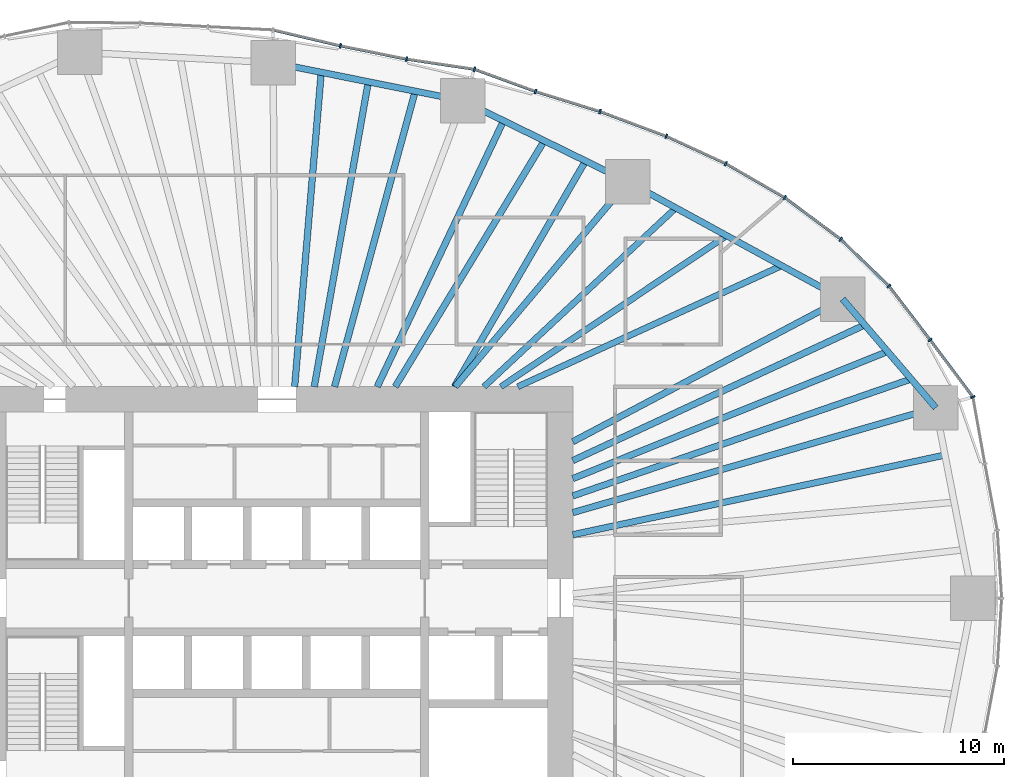
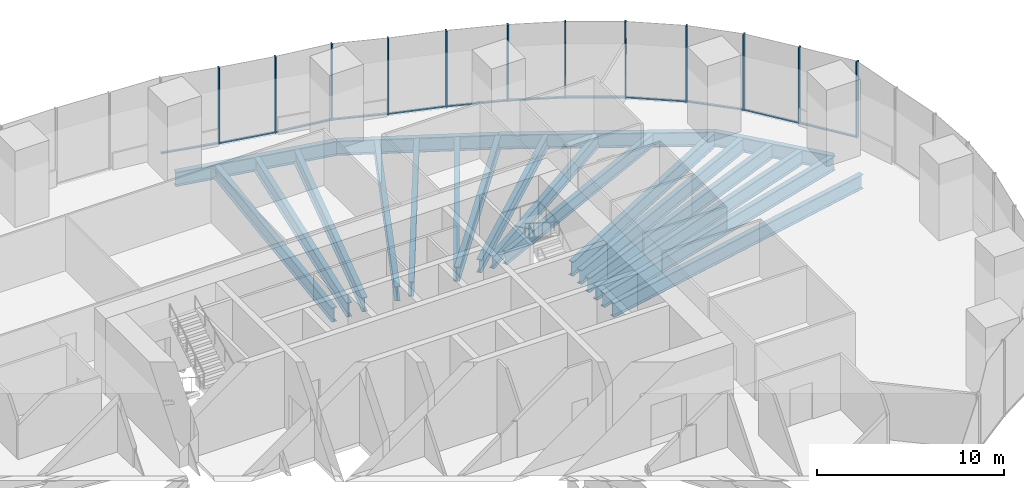
# One storey, part 6 of 20: 24 members, 20 beams, 4 elements without a shape of their own.
"""IFC4 building model written with IfcOpenShell, lengths in metres."""

from ifc_helpers import new_model, si_unit, direction, frame, origin, origin_2d, place, context, subcontext, project, spatial, rectangle, i_section, extrude, material, material_profile, profile_set, type_object, element, aggregate, save


model = new_model("IFC4")

# Units and contexts
model_context = context("Model", 3, precision=1e-05, world=origin(), true_north=direction((0.0, 1.0)))
body_context = subcontext(model_context, "Body", "Model", "MODEL_VIEW")
ifc_project = project(units=[si_unit("LENGTHUNIT", "METRE"), si_unit("AREAUNIT", "SQUARE_METRE"), si_unit("VOLUMEUNIT", "CUBIC_METRE"), si_unit("PLANEANGLEUNIT", "RADIAN"), si_unit("MASSUNIT", "GRAM", prefix="KILO")], contexts=[model_context])

# Site, building, storey
site_placement = place(None, origin())
site = spatial("IfcSite", under=ifc_project, at=site_placement, CompositionType="ELEMENT")
building_placement = place(site_placement, origin())
building = spatial("IfcBuilding", under=site, at=building_placement, Name="Ghaith Harvest Tower", CompositionType="ELEMENT")
storey_placement = place(building_placement, frame((0.0, 0.0, 20.0)))
storey = spatial("IfcBuildingStorey", under=building, at=storey_placement, Name="L04", CompositionType="ELEMENT", Elevation=20.0)

# Curtain wall, members
ifc_material_1 = material(Name="Black anodised aluminium and fritted glass", Category="aluminium")
curtain_wall_type = type_object("IfcCurtainWallType", Name="CW-F CURTAIN WALL", PredefinedType="NOTDEFINED", material=ifc_material_1)
curtain_wall_1_placement = place(storey_placement, origin())
curtain_wall_1 = element("IfcCurtainWall", 1, at=curtain_wall_1_placement, inside=storey, type_object=curtain_wall_type, Name="Curtain wall CW-F bay 02 L04", PredefinedType="NOTDEFINED")
ifc_material_2 = material(Name="Aluminium, black anodised", Category="aluminium")
ifc_material_profile_1 = material_profile(ifc_material_2, rectangle(XDim=0.080078125, YDim=0.219970703125, at=origin_2d()), Name="CW-F MULLION 80x220")
ifc_profile_set_1 = profile_set([ifc_material_profile_1], Name="Aluminium, black anodised")
member_type_1 = type_object("IfcMemberType", Name="CW-F MULLION 80x220", PredefinedType="MULLION", material=ifc_profile_set_1)
member_1_placement = place(storey_placement, frame((32.923583984375, 9.515625, 0.0), z_axis=(0.0, 0.0, 1.0), x_axis=(-0.404701693729, 0.914448762421, 0.0)))
member_1 = element("IfcMember", 2, at=member_1_placement, type_object=member_type_1, Name="CW-F mullion 1 bay 02 L04", PredefinedType="MULLION", context=body_context, shape_type="SweptSolid", body=[
    extrude(rectangle(XDim=0.080078125, YDim=0.219970703125, at=origin_2d()), origin(), (0.0, 0.0, 1.0), 5.0),
])
member_2_placement = place(storey_placement, frame((30.896728515625, 12.215087890625, 0.0), z_axis=(0.0, 0.0, 1.0), x_axis=(-0.603948315345, 0.797023482961, 0.0)))
member_2 = element("IfcMember", 3, at=member_2_placement, type_object=member_type_1, Name="CW-F mullion 2 bay 02 L04", PredefinedType="MULLION", context=body_context, shape_type="SweptSolid", body=[
    extrude(rectangle(XDim=0.080078125, YDim=0.219970703125, at=origin_2d()), origin(), (0.0, 0.0, 1.0), 5.0),
])
member_3_placement = place(storey_placement, frame((28.947021484375, 14.763427734375, 0.0), z_axis=(0.0, 0.0, 1.0), x_axis=(-0.663604797296, 0.748083332929, 0.0)))
member_3 = element("IfcMember", 4, at=member_3_placement, type_object=member_type_1, Name="CW-F mullion 3 bay 02 L04", PredefinedType="MULLION", context=body_context, shape_type="SweptSolid", body=[
    extrude(rectangle(XDim=0.080078125, YDim=0.219970703125, at=origin_2d()), origin(), (0.0, 0.0, 1.0), 5.0),
])

curtain_wall_2_placement = place(storey_placement, origin())
curtain_wall_2 = element("IfcCurtainWall", 5, at=curtain_wall_2_placement, inside=storey, type_object=curtain_wall_type, Name="Curtain wall CW-F bay 03 L04", PredefinedType="NOTDEFINED")
member_4_placement = place(storey_placement, frame((26.673828125, 16.9755859375, 0.0), z_axis=(0.0, 0.0, 1.0), x_axis=(-0.762365981091, 0.647146127915, 0.0)))
member_4 = element("IfcMember", 6, at=member_4_placement, type_object=member_type_1, Name="CW-F mullion 1 bay 03 L04", PredefinedType="MULLION", context=body_context, shape_type="SweptSolid", body=[
    extrude(rectangle(XDim=0.080078125, YDim=0.219970703125, at=origin_2d()), origin(), (0.0, 0.0, 1.0), 5.0),
])
member_5_placement = place(storey_placement, frame((24.018310546875, 18.947265625, 0.0), z_axis=(0.0, 0.0, 1.0), x_axis=(-0.835443516723, 0.549576318963, 0.0)))
member_5 = element("IfcMember", 7, at=member_5_placement, type_object=member_type_1, Name="CW-F mullion 2 bay 03 L04", PredefinedType="MULLION", context=body_context, shape_type="SweptSolid", body=[
    extrude(rectangle(XDim=0.080078125, YDim=0.219970703125, at=origin_2d()), origin(), (0.0, 0.0, 1.0), 5.0),
])
member_6_placement = place(storey_placement, frame((21.2353515625, 20.552978515625, 0.0), z_axis=(0.0, 0.0, 1.0), x_axis=(-0.887896671642, 0.460042933308, 0.0)))
member_6 = element("IfcMember", 8, at=member_6_placement, type_object=member_type_1, Name="CW-F mullion 3 bay 03 L04", PredefinedType="MULLION", context=body_context, shape_type="SweptSolid", body=[
    extrude(rectangle(XDim=0.080078125, YDim=0.219970703125, at=origin_2d()), origin(), (0.0, 0.0, 1.0), 5.0),
])

curtain_wall_3_placement = place(storey_placement, origin())
curtain_wall_3 = element("IfcCurtainWall", 9, at=curtain_wall_3_placement, inside=storey, type_object=curtain_wall_type, Name="Curtain wall CW-F bay 04 L04", PredefinedType="NOTDEFINED")
member_7_placement = place(storey_placement, frame((18.422607421875, 21.8466796875, 0.0), z_axis=(0.0, 0.0, 1.0), x_axis=(-0.923910199252, 0.382609387912, 0.0)))
member_7 = element("IfcMember", 10, at=member_7_placement, type_object=member_type_1, Name="CW-F mullion 1 bay 04 L04", PredefinedType="MULLION", context=body_context, shape_type="SweptSolid", body=[
    extrude(rectangle(XDim=0.080078125, YDim=0.219970703125, at=origin_2d()), origin(), (0.0, 0.0, 1.0), 5.0),
])
member_8_placement = place(storey_placement, frame((15.28759765625, 23.01611328125, 0.0), z_axis=(0.0, 0.0, 1.0), x_axis=(-0.946121020954, 0.323813238933, 0.0)))
member_8 = element("IfcMember", 11, at=member_8_placement, type_object=member_type_1, Name="CW-F mullion 2 bay 04 L04", PredefinedType="MULLION", context=body_context, shape_type="SweptSolid", body=[
    extrude(rectangle(XDim=0.080078125, YDim=0.219970703125, at=origin_2d()), origin(), (0.0, 0.0, 1.0), 5.0),
])
member_9_placement = place(storey_placement, frame((12.234375, 23.964599609375, 0.0), z_axis=(0.0, 0.0, 1.0), x_axis=(-0.947653438436, 0.319300736957, 0.0)))
member_9 = element("IfcMember", 12, at=member_9_placement, type_object=member_type_1, Name="CW-F mullion 3 bay 04 L04", PredefinedType="MULLION", context=body_context, shape_type="SweptSolid", body=[
    extrude(rectangle(XDim=0.080078125, YDim=0.219970703125, at=origin_2d()), origin(), (0.0, 0.0, 1.0), 5.0),
])

curtain_wall_4_placement = place(storey_placement, origin())
curtain_wall_4 = element("IfcCurtainWall", 13, at=curtain_wall_4_placement, inside=storey, type_object=curtain_wall_type, Name="Curtain wall CW-F bay 05 L04", PredefinedType="NOTDEFINED")
member_10_placement = place(storey_placement, frame((9.351806640625, 25.01611328125, 0.0), z_axis=(0.0, 0.0, 1.0), x_axis=(-0.969903429236, 0.243489913461, 0.0)))
member_10 = element("IfcMember", 14, at=member_10_placement, type_object=member_type_1, Name="CW-F mullion 1 bay 05 L04", PredefinedType="MULLION", context=body_context, shape_type="SweptSolid", body=[
    extrude(rectangle(XDim=0.080078125, YDim=0.219970703125, at=origin_2d()), origin(), (0.0, 0.0, 1.0), 5.0),
])
member_11_placement = place(storey_placement, frame((6.136962890625, 25.495361328125, 0.0), z_axis=(0.0, 0.0, 1.0), x_axis=(-0.985103843977, 0.171960508788, 0.0)))
member_11 = element("IfcMember", 15, at=member_11_placement, type_object=member_type_1, Name="CW-F mullion 2 bay 05 L04", PredefinedType="MULLION", context=body_context, shape_type="SweptSolid", body=[
    extrude(rectangle(XDim=0.080078125, YDim=0.219970703125, at=origin_2d()), origin(), (0.0, 0.0, 1.0), 5.0),
])
member_12_placement = place(storey_placement, frame((3.00927734375, 26.123291015625, 0.0), z_axis=(0.0, 0.0, 1.0), x_axis=(-0.976927332869, 0.213571969822, 0.0)))
member_12 = element("IfcMember", 16, at=member_12_placement, type_object=member_type_1, Name="CW-F mullion 3 bay 05 L04", PredefinedType="MULLION", context=body_context, shape_type="SweptSolid", body=[
    extrude(rectangle(XDim=0.080078125, YDim=0.219970703125, at=origin_2d()), origin(), (0.0, 0.0, 1.0), 5.0),
])

# Member
ifc_material_3 = material(Name="Aluminium, black anodised", Category="aluminium")
ifc_material_profile_2 = material_profile(ifc_material_3, rectangle(XDim=0.139892578125, YDim=0.080078125, at=origin_2d()), Name="CW-F TRANSOM 140x80")
ifc_profile_set_2 = profile_set([ifc_material_profile_2], Name="Aluminium, black anodised")
member_type_2 = type_object("IfcMemberType", Name="CW-F TRANSOM 140x80", PredefinedType="USERDEFINED", material=ifc_profile_set_2)
member_13_placement = place(storey_placement, frame((32.899658203125, 9.547607421875, 0.0400390625), z_axis=(-0.600462135687, 0.799653189581, 0.0), x_axis=(-0.799653189581, -0.600462135687, 0.0)))
member_13 = element("IfcMember", 17, at=member_13_placement, type_object=member_type_2, Name="CW-F transom 1 bay 02 L04", ObjectType="TRANSOM", PredefinedType="USERDEFINED", context=body_context, shape_type="SweptSolid", body=[
    extrude(rectangle(XDim=0.139892578125, YDim=0.080078125, at=origin_2d()), origin(), (0.0, 0.0, 1.0), 3.2958984375),
])

member_14_placement = place(storey_placement, frame((30.87255859375, 12.246826171875, 0.0400390625), z_axis=(-0.607638356471, 0.794213842579, 0.0), x_axis=(-0.794213842579, -0.607638356471, 0.0)))
member_14 = element("IfcMember", 18, at=member_14_placement, type_object=member_type_2, Name="CW-F transom 2 bay 02 L04", ObjectType="TRANSOM", PredefinedType="USERDEFINED", context=body_context, shape_type="SweptSolid", body=[
    extrude(rectangle(XDim=0.139892578125, YDim=0.080078125, at=origin_2d()), origin(), (0.0, 0.0, 1.0), 3.128662109375),
])

member_15_placement = place(storey_placement, frame((28.91845703125, 14.791259765625, 0.0400390625), z_axis=(-0.71671313139, 0.697368114623, 0.0), x_axis=(-0.697368114623, -0.71671313139, 0.0)))
member_15 = element("IfcMember", 19, at=member_15_placement, type_object=member_type_2, Name="CW-F transom 3 bay 02 L04", ObjectType="TRANSOM", PredefinedType="USERDEFINED", context=body_context, shape_type="SweptSolid", body=[
    extrude(rectangle(XDim=0.139892578125, YDim=0.080078125, at=origin_2d()), origin(), (0.0, 0.0, 1.0), 3.092041015625),
])

aggregate(curtain_wall_1, [member_1, member_13, member_2, member_14, member_3, member_15])

member_16_placement = place(storey_placement, frame((26.641845703125, 16.999267578125, 0.0400390625), z_axis=(-0.802877287823, 0.596144328748, 0.0), x_axis=(-0.596144328748, -0.802877287823, 0.0)))
member_16 = element("IfcMember", 20, at=member_16_placement, type_object=member_type_2, Name="CW-F transom 1 bay 03 L04", ObjectType="TRANSOM", PredefinedType="USERDEFINED", context=body_context, shape_type="SweptSolid", body=[
    extrude(rectangle(XDim=0.139892578125, YDim=0.080078125, at=origin_2d()), origin(), (0.0, 0.0, 1.0), 3.2275390625),
])

member_17_placement = place(storey_placement, frame((23.983642578125, 18.96728515625, 0.0400390625), z_axis=(-0.866168719914, 0.499751686983, 0.0), x_axis=(-0.499751686983, -0.866168719914, 0.0)))
member_17 = element("IfcMember", 21, at=member_17_placement, type_object=member_type_2, Name="CW-F transom 2 bay 03 L04", ObjectType="TRANSOM", PredefinedType="USERDEFINED", context=body_context, shape_type="SweptSolid", body=[
    extrude(rectangle(XDim=0.139892578125, YDim=0.080078125, at=origin_2d()), origin(), (0.0, 0.0, 1.0), 3.1328125),
])

member_18_placement = place(storey_placement, frame((21.19921875, 20.56982421875, 0.0400390625), z_axis=(-0.908553137239, 0.417769310521, 0.0), x_axis=(-0.417769310521, -0.908553137239, 0.0)))
member_18 = element("IfcMember", 22, at=member_18_placement, type_object=member_type_2, Name="CW-F transom 3 bay 03 L04", ObjectType="TRANSOM", PredefinedType="USERDEFINED", context=body_context, shape_type="SweptSolid", body=[
    extrude(rectangle(XDim=0.139892578125, YDim=0.080078125, at=origin_2d()), origin(), (0.0, 0.0, 1.0), 3.01611328125),
])

aggregate(curtain_wall_2, [member_4, member_16, member_5, member_17, member_6, member_18])

member_19_placement = place(storey_placement, frame((18.385009765625, 21.860595703125, 0.0400390625), z_axis=(-0.936923785579, 0.349533717996, 0.0), x_axis=(-0.349533717996, -0.936923785579, 0.0)))
member_19 = element("IfcMember", 23, at=member_19_placement, type_object=member_type_2, Name="CW-F transom 1 bay 04 L04", ObjectType="TRANSOM", PredefinedType="USERDEFINED", context=body_context, shape_type="SweptSolid", body=[
    extrude(rectangle(XDim=0.139892578125, YDim=0.080078125, at=origin_2d()), origin(), (0.0, 0.0, 1.0), 3.26611328125),
])

member_20_placement = place(storey_placement, frame((15.249267578125, 23.028076171875, 0.0400390625), z_axis=(-0.954998362353, 0.296611071781, 0.0), x_axis=(-0.296611071781, -0.954998362353, 0.0)))
member_20 = element("IfcMember", 24, at=member_20_placement, type_object=member_type_2, Name="CW-F transom 2 bay 04 L04", ObjectType="TRANSOM", PredefinedType="USERDEFINED", context=body_context, shape_type="SweptSolid", body=[
    extrude(rectangle(XDim=0.139892578125, YDim=0.080078125, at=origin_2d()), origin(), (0.0, 0.0, 1.0), 3.1171875),
])

member_21_placement = place(storey_placement, frame((12.19677734375, 23.978271484375, 0.0400390625), z_axis=(-0.939437502081, 0.342720264478, 0.0), x_axis=(-0.342720264478, -0.939437502081, 0.0)))
member_21 = element("IfcMember", 25, at=member_21_placement, type_object=member_type_2, Name="CW-F transom 3 bay 04 L04", ObjectType="TRANSOM", PredefinedType="USERDEFINED", context=body_context, shape_type="SweptSolid", body=[
    extrude(rectangle(XDim=0.139892578125, YDim=0.080078125, at=origin_2d()), origin(), (0.0, 0.0, 1.0), 2.98828125),
])

aggregate(curtain_wall_3, [member_7, member_19, member_8, member_20, member_9, member_21])

member_22_placement = place(storey_placement, frame((9.312255859375, 25.02197265625, 0.0400390625), z_axis=(-0.989078238205, 0.147391447207, 0.0), x_axis=(-0.147391447207, -0.989078238205, 0.0)))
member_22 = element("IfcMember", 26, at=member_22_placement, type_object=member_type_2, Name="CW-F transom 1 bay 05 L04", ObjectType="TRANSOM", PredefinedType="USERDEFINED", context=body_context, shape_type="SweptSolid", body=[
    extrude(rectangle(XDim=0.139892578125, YDim=0.080078125, at=origin_2d()), origin(), (0.0, 0.0, 1.0), 3.17041015625),
])

member_23_placement = place(storey_placement, frame((6.097900390625, 25.503173828125, 0.0400390625), z_axis=(-0.980432471193, 0.196855707129, 0.0), x_axis=(-0.196855707129, -0.980432471193, 0.0)))
member_23 = element("IfcMember", 27, at=member_23_placement, type_object=member_type_2, Name="CW-F transom 2 bay 05 L04", ObjectType="TRANSOM", PredefinedType="USERDEFINED", context=body_context, shape_type="SweptSolid", body=[
    extrude(rectangle(XDim=0.139892578125, YDim=0.080078125, at=origin_2d()), origin(), (0.0, 0.0, 1.0), 3.1103515625),
])

member_24_placement = place(storey_placement, frame((2.97021484375, 26.132568359375, 0.0400390625), z_axis=(-0.973252867589, 0.229736491942, 0.0), x_axis=(-0.229736491942, -0.973252867589, 0.0)))
member_24 = element("IfcMember", 28, at=member_24_placement, type_object=member_type_2, Name="CW-F transom 3 bay 05 L04", ObjectType="TRANSOM", PredefinedType="USERDEFINED", context=body_context, shape_type="SweptSolid", body=[
    extrude(rectangle(XDim=0.139892578125, YDim=0.080078125, at=origin_2d()), origin(), (0.0, 0.0, 1.0), 3.200927734375),
])

aggregate(curtain_wall_4, [member_10, member_22, member_11, member_23, member_12, member_24])

# Beams
ifc_material_4 = material(Name="Steel ASTM A992 Grade 50", Category="steel")
ifc_material_profile_3 = material_profile(ifc_material_4, i_section(OverallWidth=0.306884765625, OverallDepth=0.94189453125, WebThickness=0.022216796875, FlangeThickness=0.039794921875, at=origin_2d()), Name="W920X345")
ifc_profile_set_3 = profile_set([ifc_material_profile_3], Name="Steel ASTM A992 Grade 50")
beam_type_1 = type_object("IfcBeamType", Name="E920-345 W920X345", PredefinedType="SPANDREL", material=ifc_profile_set_3)
beam_1_placement = place(storey_placement, frame((31.166015625, 9.008056640625, -0.6708984375), z_axis=(-0.65056255283, 0.759452674533, 0.0), x_axis=(-0.759452674533, -0.65056255283, 0.0)))
element("IfcBeam", 29, at=beam_1_placement, inside=storey, type_object=beam_type_1, Name="Edge beam E02 L04", PredefinedType="SPANDREL", context=body_context, shape_type="SweptSolid", body=[
    extrude(i_section(OverallWidth=0.306884765625, OverallDepth=0.94189453125, WebThickness=0.022216796875, FlangeThickness=0.039794921875, at=origin_2d()), origin(), (0.0, 0.0, 1.0), 6.7666015625),
])
beam_2_placement = place(storey_placement, frame((26.763916015625, 14.14697265625, -0.6708984375), z_axis=(-0.877588218279, 0.479415184509, 0.0), x_axis=(-0.479415184509, -0.877588218279, 0.0)))
element("IfcBeam", 30, at=beam_2_placement, inside=storey, type_object=beam_type_1, Name="Edge beam E03 L04", PredefinedType="SPANDREL", context=body_context, shape_type="SweptSolid", body=[
    extrude(i_section(OverallWidth=0.306884765625, OverallDepth=0.94189453125, WebThickness=0.022216796875, FlangeThickness=0.039794921875, at=origin_2d()), origin(), (0.0, 0.0, 1.0), 11.57275390625),
])
beam_3_placement = place(storey_placement, frame((16.60791015625, 19.695068359375, -0.6708984375), z_axis=(-0.897823733825, 0.440355019252, 0.0), x_axis=(-0.440355019252, -0.897823733825, 0.0)))
element("IfcBeam", 31, at=beam_3_placement, inside=storey, type_object=beam_type_1, Name="Edge beam E04 L04", PredefinedType="SPANDREL", context=body_context, shape_type="SweptSolid", body=[
    extrude(i_section(OverallWidth=0.306884765625, OverallDepth=0.94189453125, WebThickness=0.022216796875, FlangeThickness=0.039794921875, at=origin_2d()), origin(), (0.0, 0.0, 1.0), 8.7021484375),
])
beam_4_placement = place(storey_placement, frame((8.794921875, 23.527099609375, -0.6708984375), z_axis=(-0.980450082464, 0.196767974517, 0.0), x_axis=(-0.196767974517, -0.980450082464, 0.0)))
element("IfcBeam", 32, at=beam_4_placement, inside=storey, type_object=beam_type_1, Name="Edge beam E05 L04", PredefinedType="SPANDREL", context=body_context, shape_type="SweptSolid", body=[
    extrude(i_section(OverallWidth=0.306884765625, OverallDepth=0.94189453125, WebThickness=0.022216796875, FlangeThickness=0.039794921875, at=origin_2d()), origin(), (0.0, 0.0, 1.0), 9.146728515625),
])
ifc_material_5 = material(Name="Steel ASTM A992 Grade 50", Category="steel")
ifc_material_profile_4 = material_profile(ifc_material_5, i_section(OverallWidth=0.306884765625, OverallDepth=0.94189453125, WebThickness=0.022216796875, FlangeThickness=0.039794921875, at=origin_2d()), Name="W920X345")
ifc_profile_set_4 = profile_set([ifc_material_profile_4], Name="Steel ASTM A992 Grade 50")
beam_type_2 = type_object("IfcBeamType", Name="G920-345 W920X345", PredefinedType="BEAM", material=ifc_profile_set_4)
beam_5_placement = place(storey_placement, frame((14.0, 4.04638671875, -0.6708984375), z_axis=(0.960675395102, 0.277673882903, 0.0), x_axis=(-0.277673882903, 0.960675395102, 0.0)))
element("IfcBeam", 33, at=beam_5_placement, inside=storey, type_object=beam_type_2, Name="Radial girder G02 L04", PredefinedType="BEAM", context=body_context, shape_type="SweptSolid", body=[
    extrude(i_section(OverallWidth=0.306884765625, OverallDepth=0.94189453125, WebThickness=0.022216796875, FlangeThickness=0.039794921875, at=origin_2d()), origin(), (0.0, 0.0, 1.0), 17.86865234375),
])
beam_6_placement = place(storey_placement, frame((14.0, 7.39990234375, -0.6708984375), z_axis=(0.884082663971, 0.467330550324, 0.0), x_axis=(-0.467330550324, 0.884082663971, 0.0)))
element("IfcBeam", 34, at=beam_6_placement, inside=storey, type_object=beam_type_2, Name="Radial girder G03 L04", PredefinedType="BEAM", context=body_context, shape_type="SweptSolid", body=[
    extrude(i_section(OverallWidth=0.306884765625, OverallDepth=0.94189453125, WebThickness=0.022216796875, FlangeThickness=0.039794921875, at=origin_2d()), origin(), (0.0, 0.0, 1.0), 14.4375),
])
beam_7_placement = place(storey_placement, frame((8.4326171875, 10.0, -0.6708984375), z_axis=(0.644644245772, 0.764482698557, 0.0), x_axis=(-0.764482698557, 0.644644245772, 0.0)))
element("IfcBeam", 35, at=beam_7_placement, inside=storey, type_object=beam_type_2, Name="Radial girder G04 L04", PredefinedType="BEAM", context=body_context, shape_type="SweptSolid", body=[
    extrude(i_section(OverallWidth=0.306884765625, OverallDepth=0.94189453125, WebThickness=0.022216796875, FlangeThickness=0.039794921875, at=origin_2d()), origin(), (0.0, 0.0, 1.0), 12.681884765625),
])
ifc_material_6 = material(Name="Steel ASTM A992 Grade 50", Category="steel")
ifc_material_profile_5 = material_profile(ifc_material_6, i_section(OverallWidth=0.2939453125, OverallDepth=0.85107421875, WebThickness=0.01611328125, FlangeThickness=0.02685546875, at=origin_2d()), Name="W840X226")
ifc_profile_set_5 = profile_set([ifc_material_profile_5], Name="Steel ASTM A992 Grade 50")
beam_type_3 = type_object("IfcBeamType", Name="J840-226 W840X226", PredefinedType="JOIST", material=ifc_profile_set_5)
beam_8_placement = place(storey_placement, frame((11.39990234375, 10.0, -0.62548828125), z_axis=(0.909014022454, 0.416765529983, 0.0), x_axis=(-0.416765529983, 0.909014022454, 0.0)))
element("IfcBeam", 36, at=beam_8_placement, inside=storey, type_object=beam_type_3, Name="Joist J03.1 L04", PredefinedType="JOIST", context=body_context, shape_type="SweptSolid", body=[
    extrude(i_section(OverallWidth=0.2939453125, OverallDepth=0.85107421875, WebThickness=0.01611328125, FlangeThickness=0.02685546875, at=origin_2d()), origin(), (0.0, 0.0, 1.0), 13.72998046875),
])
beam_9_placement = place(storey_placement, frame((10.60009765625, 10.0, -0.62548828125), z_axis=(0.831116486766, 0.556098359489, 0.0), x_axis=(-0.556098359489, 0.831116486766, 0.0)))
element("IfcBeam", 37, at=beam_9_placement, inside=storey, type_object=beam_type_3, Name="Joist J03.2 L04", PredefinedType="JOIST", context=body_context, shape_type="SweptSolid", body=[
    extrude(i_section(OverallWidth=0.2939453125, OverallDepth=0.85107421875, WebThickness=0.01611328125, FlangeThickness=0.02685546875, at=origin_2d()), origin(), (0.0, 0.0, 1.0), 12.84716796875),
])
beam_10_placement = place(storey_placement, frame((9.800048828125, 10.0, -0.62548828125), z_axis=(0.731538123562, 0.681800538116, 0.0), x_axis=(-0.681800538116, 0.731538123562, 0.0)))
element("IfcBeam", 38, at=beam_10_placement, inside=storey, type_object=beam_type_3, Name="Joist J03.3 L04", PredefinedType="JOIST", context=body_context, shape_type="SweptSolid", body=[
    extrude(i_section(OverallWidth=0.2939453125, OverallDepth=0.85107421875, WebThickness=0.01611328125, FlangeThickness=0.02685546875, at=origin_2d()), origin(), (0.0, 0.0, 1.0), 12.404052734375),
])
ifc_material_7 = material(Name="Steel ASTM A992 Grade 50", Category="steel")
ifc_material_profile_6 = material_profile(ifc_material_7, i_section(OverallWidth=0.31005859375, OverallDepth=0.927001953125, WebThickness=0.019287109375, FlangeThickness=0.031982421875, at=origin_2d()), Name="W920X289")
ifc_profile_set_6 = profile_set([ifc_material_profile_6], Name="Steel ASTM A992 Grade 50")
beam_type_4 = type_object("IfcBeamType", Name="J920-289 W920X289", PredefinedType="JOIST", material=ifc_profile_set_6)
beam_11_placement = place(storey_placement, frame((14.0, 6.506103515625, -0.66357421875), z_axis=(0.906862619792, 0.421426374144, 0.0), x_axis=(-0.421426374144, 0.906862619792, 0.0)))
element("IfcBeam", 39, at=beam_11_placement, inside=storey, type_object=beam_type_4, Name="Joist J02.3 L04", PredefinedType="JOIST", context=body_context, shape_type="SweptSolid", body=[
    extrude(i_section(OverallWidth=0.31005859375, OverallDepth=0.927001953125, WebThickness=0.019287109375, FlangeThickness=0.031982421875, at=origin_2d()), origin(), (0.0, 0.0, 1.0), 15.229736328125),
])
beam_12_placement = place(storey_placement, frame((8.39990234375, 10.0, -0.66357421875), z_axis=(0.50228574324, 0.864701701246, 0.0), x_axis=(-0.864701701246, 0.50228574324, 0.0)))
element("IfcBeam", 40, at=beam_12_placement, inside=storey, type_object=beam_type_4, Name="Joist J04.1 L04", PredefinedType="JOIST", context=body_context, shape_type="SweptSolid", body=[
    extrude(i_section(OverallWidth=0.31005859375, OverallDepth=0.927001953125, WebThickness=0.019287109375, FlangeThickness=0.031982421875, at=origin_2d()), origin(), (0.0, 0.0, 1.0), 12.349365234375),
])
beam_13_placement = place(storey_placement, frame((5.60009765625, 10.0, -0.66357421875), z_axis=(0.518319612023, 0.85518698528, 0.0), x_axis=(-0.85518698528, 0.518319612023, 0.0)))
element("IfcBeam", 41, at=beam_13_placement, inside=storey, type_object=beam_type_4, Name="Joist J04.2 L04", PredefinedType="JOIST", context=body_context, shape_type="SweptSolid", body=[
    extrude(i_section(OverallWidth=0.31005859375, OverallDepth=0.927001953125, WebThickness=0.019287109375, FlangeThickness=0.031982421875, at=origin_2d()), origin(), (0.0, 0.0, 1.0), 13.60546875),
])
beam_14_placement = place(storey_placement, frame((4.75, 10.0, -0.66357421875), z_axis=(0.429059675117, 0.903276145588, 0.0), x_axis=(-0.903276145588, 0.429059675117, 0.0)))
element("IfcBeam", 42, at=beam_14_placement, inside=storey, type_object=beam_type_4, Name="Joist J04.3 L04", PredefinedType="JOIST", context=body_context, shape_type="SweptSolid", body=[
    extrude(i_section(OverallWidth=0.31005859375, OverallDepth=0.927001953125, WebThickness=0.019287109375, FlangeThickness=0.031982421875, at=origin_2d()), origin(), (0.0, 0.0, 1.0), 13.92724609375),
])
beam_15_placement = place(storey_placement, frame((2.73095703125, 10.0, -0.66357421875), z_axis=(0.263455282447, 0.964671609487, 0.0), x_axis=(-0.964671609487, 0.263455282447, 0.0)))
element("IfcBeam", 43, at=beam_15_placement, inside=storey, type_object=beam_type_4, Name="Joist J05.1 L04", PredefinedType="JOIST", context=body_context, shape_type="SweptSolid", body=[
    extrude(i_section(OverallWidth=0.31005859375, OverallDepth=0.927001953125, WebThickness=0.019287109375, FlangeThickness=0.031982421875, at=origin_2d()), origin(), (0.0, 0.0, 1.0), 14.48974609375),
])
beam_16_placement = place(storey_placement, frame((1.772705078125, 10.0, -0.66357421875), z_axis=(0.174552574354, 0.984647855218, 0.0), x_axis=(-0.984647855218, 0.174552574354, 0.0)))
element("IfcBeam", 44, at=beam_16_placement, inside=storey, type_object=beam_type_4, Name="Joist J05.2 L04", PredefinedType="JOIST", context=body_context, shape_type="SweptSolid", body=[
    extrude(i_section(OverallWidth=0.31005859375, OverallDepth=0.927001953125, WebThickness=0.019287109375, FlangeThickness=0.031982421875, at=origin_2d()), origin(), (0.0, 0.0, 1.0), 14.648193359375),
])
beam_17_placement = place(storey_placement, frame((0.844970703125, 10.0, -0.66357421875), z_axis=(0.084219252187, 0.996447247756, 0.0), x_axis=(-0.996447247756, 0.084219252187, 0.0)))
element("IfcBeam", 45, at=beam_17_placement, inside=storey, type_object=beam_type_4, Name="Joist J05.3 L04", PredefinedType="JOIST", context=body_context, shape_type="SweptSolid", body=[
    extrude(i_section(OverallWidth=0.31005859375, OverallDepth=0.927001953125, WebThickness=0.019287109375, FlangeThickness=0.031982421875, at=origin_2d()), origin(), (0.0, 0.0, 1.0), 14.92333984375),
])
ifc_material_8 = material(Name="Steel ASTM A992 Grade 50", Category="steel")
ifc_material_profile_7 = material_profile(ifc_material_8, i_section(OverallWidth=0.306884765625, OverallDepth=0.94189453125, WebThickness=0.022216796875, FlangeThickness=0.039794921875, at=origin_2d()), Name="W920X345")
ifc_profile_set_7 = profile_set([ifc_material_profile_7], Name="Steel ASTM A992 Grade 50")
beam_type_5 = type_object("IfcBeamType", Name="J920-345 W920X345", PredefinedType="JOIST", material=ifc_profile_set_7)
beam_18_placement = place(storey_placement, frame((14.0, 3.0, -0.6708984375), z_axis=(0.977831380626, 0.209393865869, 0.0), x_axis=(-0.209393865869, 0.977831380626, 0.0)))
element("IfcBeam", 46, at=beam_18_placement, inside=storey, type_object=beam_type_5, Name="Joist J01.3 L04", PredefinedType="JOIST", context=body_context, shape_type="SweptSolid", body=[
    extrude(i_section(OverallWidth=0.306884765625, OverallDepth=0.94189453125, WebThickness=0.022216796875, FlangeThickness=0.039794921875, at=origin_2d()), origin(), (0.0, 0.0, 1.0), 18.002197265625),
])
beam_19_placement = place(storey_placement, frame((14.0, 4.835693359375, -0.6708984375), z_axis=(0.945204767809, 0.326478095607, 0.0), x_axis=(-0.326478095607, 0.945204767809, 0.0)))
element("IfcBeam", 47, at=beam_19_placement, inside=storey, type_object=beam_type_5, Name="Joist J02.1 L04", PredefinedType="JOIST", context=body_context, shape_type="SweptSolid", body=[
    extrude(i_section(OverallWidth=0.306884765625, OverallDepth=0.94189453125, WebThickness=0.022216796875, FlangeThickness=0.039794921875, at=origin_2d()), origin(), (0.0, 0.0, 1.0), 16.932373046875),
])
beam_20_placement = place(storey_placement, frame((14.0, 5.653564453125, -0.6708984375), z_axis=(0.927252192145, 0.374437407536, 0.0), x_axis=(-0.374437407536, 0.927252192145, 0.0)))
element("IfcBeam", 48, at=beam_20_placement, inside=storey, type_object=beam_type_5, Name="Joist J02.2 L04", PredefinedType="JOIST", context=body_context, shape_type="SweptSolid", body=[
    extrude(i_section(OverallWidth=0.306884765625, OverallDepth=0.94189453125, WebThickness=0.022216796875, FlangeThickness=0.039794921875, at=origin_2d()), origin(), (0.0, 0.0, 1.0), 16.057373046875),
])

save(model, "model.ifc")
